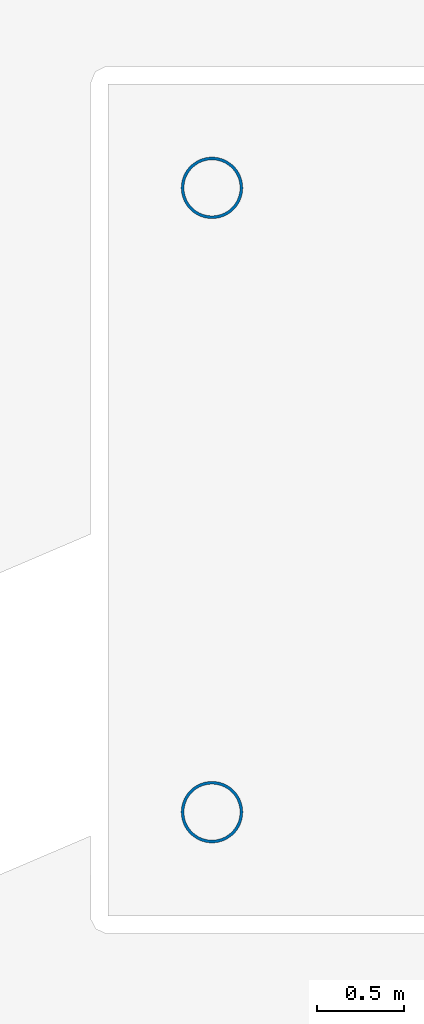
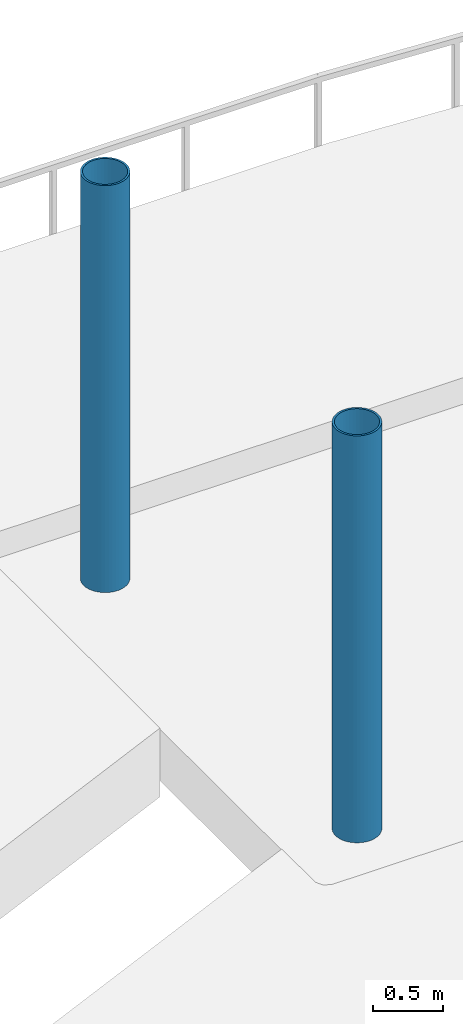
# One storey, part 4 of 30: 2 columns.
"""IFC4 building model written with IfcOpenShell, lengths in metres."""

from ifc_helpers import new_model, si_unit, direction, frame, origin, origin_2d, place, context, subcontext, project, spatial, hollow_circle, extrude, material, material_profile, profile_set, type_object, element, save


model = new_model("IFC4")

# Units and contexts
model_context = context("Model", 3, precision=1e-05, world=origin(), true_north=direction((0.0, 1.0)))
body_context = subcontext(model_context, "Body", "Model", "MODEL_VIEW")
ifc_project = project(units=[si_unit("LENGTHUNIT", "METRE"), si_unit("AREAUNIT", "SQUARE_METRE"), si_unit("VOLUMEUNIT", "CUBIC_METRE"), si_unit("PLANEANGLEUNIT", "RADIAN"), si_unit("MASSUNIT", "GRAM", prefix="KILO")], contexts=[model_context])

# Site, building, storey
site_placement = place(None, origin())
site = spatial("IfcSite", under=ifc_project, at=site_placement, CompositionType="ELEMENT")
building_placement = place(site_placement, origin())
building = spatial("IfcBuilding", under=site, at=building_placement, Name="Noorbagh Ring Tower", CompositionType="ELEMENT")
storey_placement = place(building_placement, frame((0.0, 0.0, 30.5)))
storey = spatial("IfcBuildingStorey", under=building, at=storey_placement, Name="L05", CompositionType="ELEMENT", Elevation=30.5)

# Columns
ifc_material = material(Name="Steel S355", Category="steel")
ifc_material_profile = material_profile(ifc_material, hollow_circle(Radius=0.177734375, WallThickness=0.01611328125, at=origin_2d()), Name="CHS355.6x16")
ifc_profile_set = profile_set([ifc_material_profile], Name="Steel S355")
column_type = type_object("IfcColumnType", Name="GND-CHHATRI-COL", PredefinedType="COLUMN", material=ifc_profile_set)
for number, where, z_axis, x_axis, name in (
    (1, (-1.800048828125, 32.199951171875, 0.449951171875), (0.0, 0.0, 1.0), (1.0, 0.0, 0.0), "Chhatri 3 column"),
    (2, (-1.800048828125, 35.800048828125, 0.449951171875), (0.0, 0.0, 1.0), (1.0, 0.0, 0.0), "Chhatri 3 column"),
):
    element("IfcColumn", number, at=place(storey_placement, frame(where, z_axis=z_axis, x_axis=x_axis)), inside=storey, type_object=column_type, Name=name, PredefinedType="COLUMN", context=body_context, shape_type="SweptSolid", body=[
        extrude(hollow_circle(Radius=0.177734375, WallThickness=0.01611328125, at=origin_2d()), origin(), (0.0, 0.0, 1.0), 3.550048828125),
    ])

save(model, "model.ifc")
